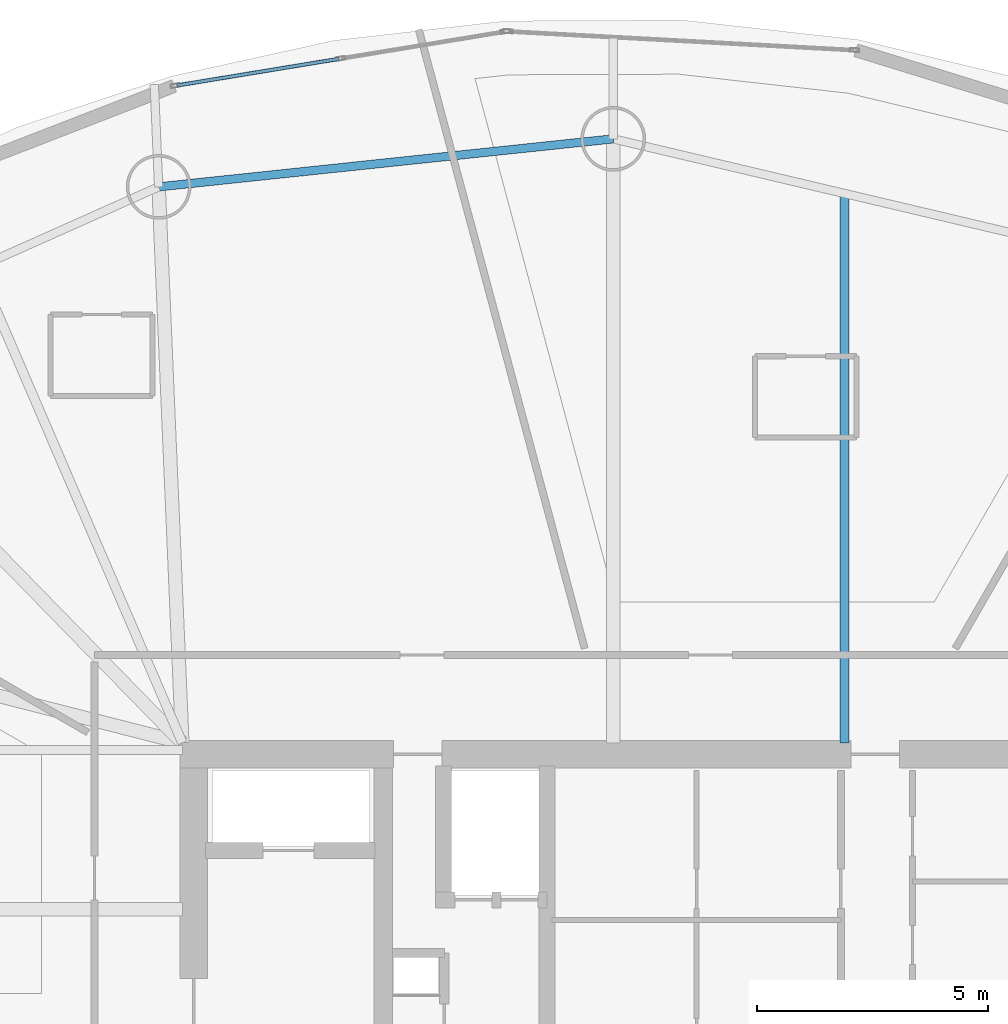
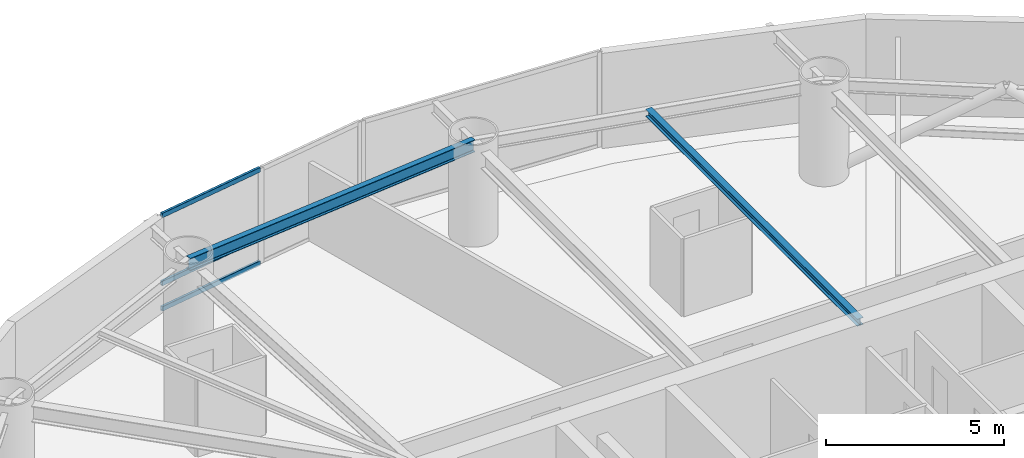
# One storey, part 12 of 20: 3 members, 2 beams, 1 element without a shape of its own.
"""IFC4 building model written with IfcOpenShell, lengths in metres."""

from ifc_helpers import new_model, si_unit, direction, frame, origin, origin_2d, place, context, subcontext, project, spatial, hollow_rectangle, i_section, extrude, material, layer, layer_set, material_profile, profile_set, type_object, element, aggregate, save


model = new_model("IFC4")

# Units and contexts
model_context = context("Model", 3, precision=1e-05, world=origin(), true_north=direction((0.0, 1.0)))
body_context = subcontext(model_context, "Body", "Model", "MODEL_VIEW")
ifc_project = project(units=[si_unit("LENGTHUNIT", "METRE"), si_unit("AREAUNIT", "SQUARE_METRE"), si_unit("VOLUMEUNIT", "CUBIC_METRE"), si_unit("PLANEANGLEUNIT", "RADIAN"), si_unit("MASSUNIT", "GRAM", prefix="KILO")], contexts=[model_context])

# Site, building, storey
site_placement = place(None, origin())
site = spatial("IfcSite", under=ifc_project, at=site_placement, CompositionType="ELEMENT")
building_placement = place(site_placement, origin())
building = spatial("IfcBuilding", under=site, at=building_placement, Name="Bramvorn Convention Spire", CompositionType="ELEMENT")
storey_placement = place(building_placement, frame((0.0, 0.0, 130.800048828125)))
storey = spatial("IfcBuildingStorey", under=building, at=storey_placement, Name="L32", CompositionType="ELEMENT", Elevation=130.800048828125)

# Beams
ifc_material_1 = material(Name="Steel CSA G40.21 Grade 350 (350W)", Category="steel")
ifc_material_profile_1 = material_profile(ifc_material_1, i_section(OverallWidth=0.201904296875, OverallDepth=0.2470703125, WebThickness=0.00732421875, FlangeThickness=0.010986328125, FilletRadius=0.011962890625, at=origin_2d()))
ifc_profile_set_1 = profile_set([ifc_material_profile_1], Name="Steel CSA G40.21 Grade 350 (350W) - W250X49")
beam_type_1 = type_object("IfcBeamType", Name="BM-W250X49", PredefinedType="JOIST", material=ifc_profile_set_1)
beam_1_placement = place(storey_placement, frame((41.079345703125, 33.449951171875, 3.136474609375), z_axis=(0.0, 1.0, 0.0), x_axis=(-1.0, 0.0, 0.0)))
element("IfcBeam", 1, at=beam_1_placement, inside=storey, type_object=beam_type_1, Name="L32 composite floor joist 05", PredefinedType="JOIST", context=body_context, shape_type="SweptSolid", body=[
    extrude(i_section(OverallWidth=0.201904296875, OverallDepth=0.2470703125, WebThickness=0.00732421875, FlangeThickness=0.010986328125, FilletRadius=0.011962890625, at=origin_2d()), origin(), (0.0, 0.0, 1.0), 11.8857421875),
])
ifc_material_profile_2 = material_profile(ifc_material_1, i_section(OverallWidth=0.180908203125, OverallDepth=0.4169921875, WebThickness=0.010986328125, FlangeThickness=0.018310546875, FilletRadius=0.01611328125, at=origin_2d()))
ifc_profile_set_2 = profile_set([ifc_material_profile_2], Name="Steel CSA G40.21 Grade 350 (350W) - W410X85")
beam_type_2 = type_object("IfcBeamType", Name="BM-W410X85", PredefinedType="JOIST", material=ifc_profile_set_2)
beam_2_placement = place(storey_placement, frame((36.075927734375, 46.517333984375, 3.051513671875), z_axis=(-0.994473491975, -0.104987969596, 0.0), x_axis=(0.104987969596, -0.994473491975, 0.0)))
element("IfcBeam", 2, at=beam_2_placement, inside=storey, type_object=beam_type_2, Name="L32 mega-column ring beam 06", PredefinedType="JOIST", context=body_context, shape_type="SweptSolid", body=[
    extrude(i_section(OverallWidth=0.180908203125, OverallDepth=0.4169921875, WebThickness=0.010986328125, FlangeThickness=0.018310546875, FilletRadius=0.01611328125, at=origin_2d()), origin(), (0.0, 0.0, 1.0), 9.892333984375),
])

# Curtain wall, members
ifc_material_2 = material(Name="Anodised Bronze Unitised Curtain Wall", Category="aluminium")
ifc_layer = layer(ifc_material_2, 0.179931640625)
ifc_layer_set = layer_set([ifc_layer], Name="Anodised Bronze Unitised Curtain Wall - CW-HTL-FRIT")
curtain_wall_type = type_object("IfcCurtainWallType", Name="CW-HTL-FRIT", PredefinedType="USERDEFINED", material=ifc_layer_set)
curtain_wall_placement = place(storey_placement, origin())
curtain_wall = element("IfcCurtainWall", 3, at=curtain_wall_placement, inside=storey, type_object=curtain_wall_type, Name="L32 fritted glass curtain wall 09", ObjectType="UNITISED CURTAIN WALL", PredefinedType="USERDEFINED")
ifc_material_3 = material(Name="Anodised Bronze Aluminium 6063-T6", Category="aluminium")
ifc_material_profile_3 = material_profile(ifc_material_3, hollow_rectangle(XDim=0.080078125, YDim=0.159912109375, WallThickness=0.00390625, InnerFilletRadius=0.0009765625, OuterFilletRadius=0.00390625, at=origin_2d()))
ifc_profile_set_3 = profile_set([ifc_material_profile_3], Name="Anodised Bronze Aluminium 6063-T6 - CWT80X160")
member_type = type_object("IfcMemberType", Name="CW-TRN-150", PredefinedType="USERDEFINED", material=ifc_profile_set_3)
member_1_placement = place(storey_placement, frame((26.632568359375, 47.67236328125, 0.030029296875), z_axis=(0.986784504027, 0.162038090002, 0.0), x_axis=(-0.162038090002, 0.986784504027, 0.0)))
member_1 = element("IfcMember", 4, at=member_1_placement, type_object=member_type, Name="CW2 transom 1.1", ObjectType="TRANSOM", PredefinedType="USERDEFINED", context=body_context, shape_type="SweptSolid", body=[
    extrude(hollow_rectangle(XDim=0.080078125, YDim=0.159912109375, WallThickness=0.00390625, InnerFilletRadius=0.0009765625, OuterFilletRadius=0.00390625, at=origin_2d()), origin(), (0.0, 0.0, 1.0), 3.5556640625),
])
member_2_placement = place(storey_placement, frame((26.632568359375, 47.67236328125, 0.89990234375), z_axis=(0.986784504027, 0.162038090002, 0.0), x_axis=(-0.162038090002, 0.986784504027, 0.0)))
member_2 = element("IfcMember", 5, at=member_2_placement, type_object=member_type, Name="CW2 transom 1.2", ObjectType="TRANSOM", PredefinedType="USERDEFINED", context=body_context, shape_type="SweptSolid", body=[
    extrude(hollow_rectangle(XDim=0.080078125, YDim=0.159912109375, WallThickness=0.00390625, InnerFilletRadius=0.0009765625, OuterFilletRadius=0.00390625, at=origin_2d()), origin(), (0.0, 0.0, 1.0), 3.5556640625),
])
member_3_placement = place(storey_placement, frame((26.632568359375, 47.67236328125, 3.22998046875), z_axis=(0.986784504027, 0.162038090002, 0.0), x_axis=(-0.162038090002, 0.986784504027, 0.0)))
member_3 = element("IfcMember", 6, at=member_3_placement, type_object=member_type, Name="CW2 transom 1.3", ObjectType="TRANSOM", PredefinedType="USERDEFINED", context=body_context, shape_type="SweptSolid", body=[
    extrude(hollow_rectangle(XDim=0.080078125, YDim=0.159912109375, WallThickness=0.00390625, InnerFilletRadius=0.0009765625, OuterFilletRadius=0.00390625, at=origin_2d()), origin(), (0.0, 0.0, 1.0), 3.5556640625),
])
aggregate(curtain_wall, [member_1, member_2, member_3])

save(model, "model.ifc")
